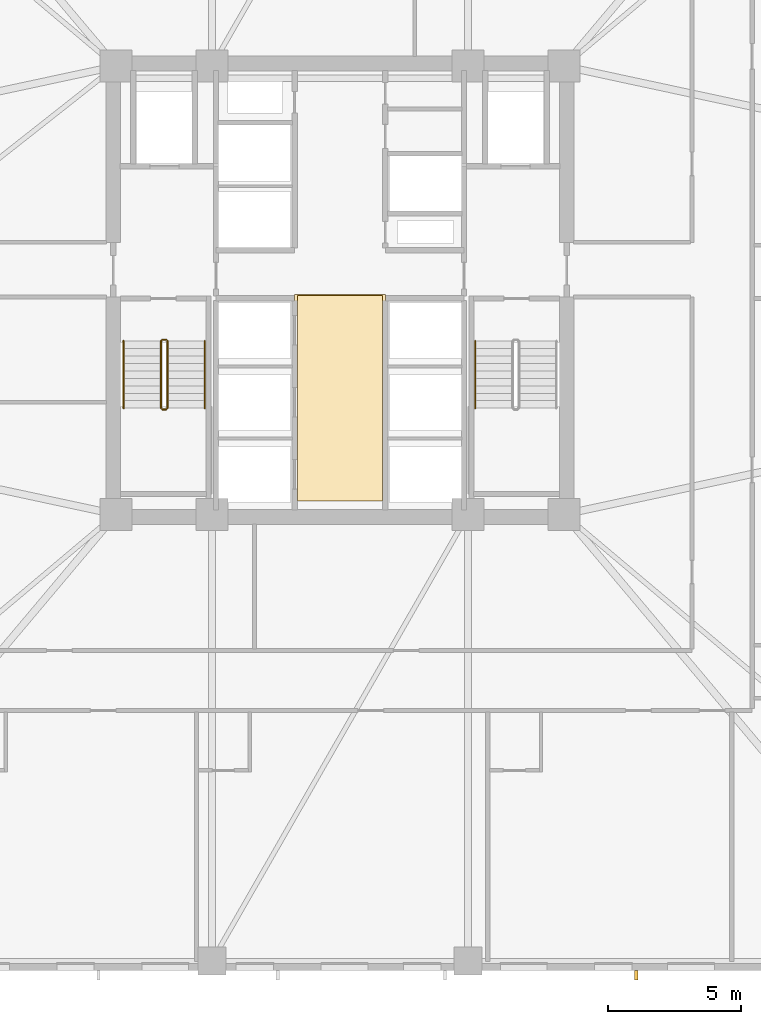
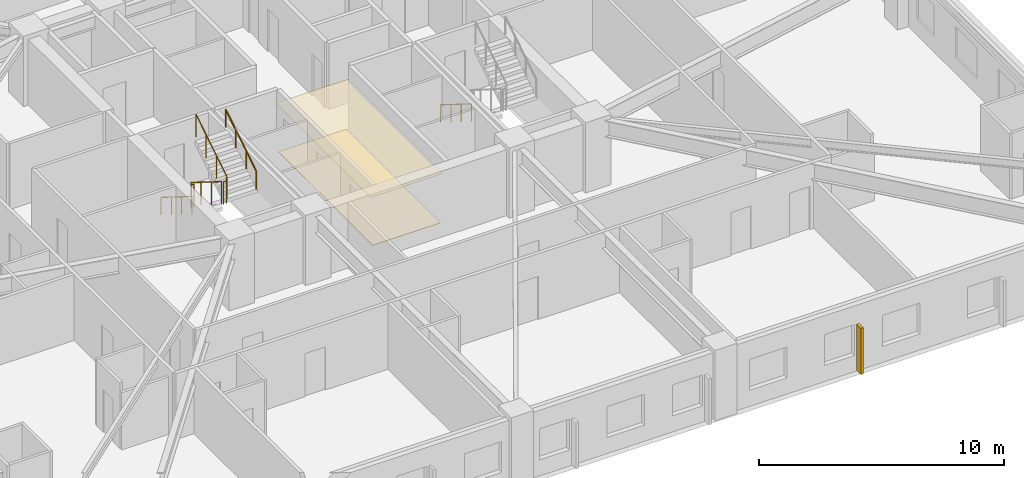
# One storey, part 8 of 11: 7 railings, 2 coverings, 1 shading device.
"""IFC4 building model written with IfcOpenShell, lengths in metres."""

from ifc_helpers import new_model, si_unit, direction, frame, origin, origin_2d, place, context, subcontext, project, spatial, polyline, rectangle, circle, outline, extrude, material, layer, layer_set, type_object, element, save


model = new_model("IFC4")

# Units and contexts
model_context = context("Model", 3, precision=1e-05, world=origin(), true_north=direction((0.0, 1.0)))
body_context = subcontext(model_context, "Body", "Model", "MODEL_VIEW")
ifc_project = project(units=[si_unit("LENGTHUNIT", "METRE"), si_unit("AREAUNIT", "SQUARE_METRE"), si_unit("VOLUMEUNIT", "CUBIC_METRE"), si_unit("PLANEANGLEUNIT", "RADIAN"), si_unit("MASSUNIT", "GRAM", prefix="KILO")], contexts=[model_context])

# Site, building, storey
site_placement = place(None, origin())
site = spatial("IfcSite", under=ifc_project, at=site_placement, CompositionType="ELEMENT")
building_placement = place(site_placement, origin())
building = spatial("IfcBuilding", under=site, at=building_placement, Name="Cairnveth Concourse Tower", CompositionType="ELEMENT")
storey_placement = place(building_placement, frame((0.0, 0.0, 76.0)))
storey = spatial("IfcBuildingStorey", under=building, at=storey_placement, Name="L20", CompositionType="ELEMENT", Elevation=76.0)

# Covering
ifc_material_1 = material(Name="Acoustic Mineral Fibre Ceiling", Category="gypsum")
ifc_layer_1 = layer(ifc_material_1, 0.02490234375)
ifc_layer_set_1 = layer_set([ifc_layer_1], Name="Acoustic Mineral Fibre Ceiling")
covering_type_1 = type_object("IfcCoveringType", Name="ACOUSTIC MINERAL FIBRE CEILING 25", PredefinedType="CEILING", material=ifc_layer_set_1)
covering_1_placement = place(storey_placement, frame((0.0, 0.0, 2.424072265625)))
element("IfcCovering", 1, at=covering_1_placement, inside=storey, type_object=covering_type_1, Name="Lift Lobby Acoustic Ceiling L20", PredefinedType="CEILING", context=body_context, shape_type="SweptSolid", body=[
    extrude(outline(polyline([(50.300048828125, 31.10009765625), (53.699951171875, 31.10009765625), (53.699951171875, 38.85009765625), (50.300048828125, 38.85009765625), (50.300048828125, 31.10009765625)])), origin(), (0.0, 0.0, 1.0), 0.02490234375),
])

# Shading device
ifc_material_2 = material(Name="Architectural Bronze Anodised Aluminium 6063-T6", Category="aluminium")
shading_device_type = type_object("IfcShadingDeviceType", Name="GOTHIC BRONZE VERTICAL LANCET FIN", PredefinedType="USERDEFINED", material=ifc_material_2)
shading_device_placement = place(storey_placement, frame((63.109619140625, 13.324951171875, 0.02978515625), z_axis=(0.0, 0.0, 1.0), x_axis=(1.0, 0.0, 0.0)))
element("IfcShadingDevice", 2, at=shading_device_placement, inside=storey, type_object=shading_device_type, Name="Gothic Bronze Vertical Fin L20-3-3", ObjectType="VERTICAL FIN", PredefinedType="USERDEFINED", context=body_context, shape_type="SweptSolid", body=[
    extrude(rectangle(XDim=0.1201171875, YDim=0.360107421875, at=origin_2d()), origin(), (0.0, 0.0, 1.0), 2.303955078125),
])

# Railings
ifc_material_3 = material(Name="Steel Grade 350", Category="steel")
railing_type_1 = type_object("IfcRailingType", Name="STAIR GUARDRAIL 1150", PredefinedType="GUARDRAIL", material=ifc_material_3)
railing_1_placement = place(storey_placement, frame((45.2900390625, 37.10009765625, 0.175048828125)))
element("IfcRailing", 3, at=railing_1_placement, inside=storey, type_object=railing_type_1, Name="L20 ST-1 stair guard 1", PredefinedType="GUARDRAIL", context=body_context, shape_type="SweptSolid", body=[
    extrude(circle(Radius=0.02392578125, at=origin_2d()), frame((0.0, 0.0, 1.1259765625), z_axis=(0.0, -0.848007534815, 0.529984170421), x_axis=(1.0, 0.0, 0.0)), (0.0, 0.0, 1.0), 2.9716796875),
    extrude(circle(Radius=0.02099609375, at=origin_2d()), origin(), (0.0, 0.0, 1.0), 1.101806640625),
    extrude(circle(Radius=0.02099609375, at=origin_2d()), frame((0.0, -0.840087890625, 0.52490234375)), (0.0, 0.0, 1.0), 1.101806640625),
    extrude(circle(Radius=0.02099609375, at=origin_2d()), frame((0.0, -1.679931640625, 1.050048828125)), (0.0, 0.0, 1.0), 1.101806640625),
    extrude(circle(Radius=0.02099609375, at=origin_2d()), frame((0.0, -2.52001953125, 1.574951171875)), (0.0, 0.0, 1.0), 1.101806640625),
])
railing_2_placement = place(storey_placement, frame((45.340087890625, 34.530029296875, 1.75)))
element("IfcRailing", 4, at=railing_2_placement, inside=storey, type_object=railing_type_1, Name="L20 ST-1 stair guard 2", PredefinedType="GUARDRAIL", context=body_context, shape_type="SweptSolid", body=[
    extrude(circle(Radius=0.02392578125, at=origin_2d()), frame((0.0, 0.0, 1.1259765625), z_axis=(1.0, 0.0, 0.0), x_axis=(0.0, 1.0, 0.0)), (0.0, 0.0, 1.0), 0.139892578125),
    extrude(circle(Radius=0.02099609375, at=origin_2d()), origin(), (0.0, 0.0, 1.0), 1.101806640625),
    extrude(circle(Radius=0.02099609375, at=origin_2d()), frame((0.139892578125, 0.0, 0.0)), (0.0, 0.0, 1.0), 1.101806640625),
])
railing_3_placement = place(storey_placement, frame((45.530029296875, 34.580078125, 1.925048828125)))
element("IfcRailing", 5, at=railing_3_placement, inside=storey, type_object=railing_type_1, Name="L20 ST-1 stair guard 3", PredefinedType="GUARDRAIL", context=body_context, shape_type="SweptSolid", body=[
    extrude(circle(Radius=0.02392578125, at=origin_2d()), frame((0.0, 0.0, 1.1259765625), z_axis=(0.0, 0.848007534815, 0.529984170421), x_axis=(-1.0, 0.0, 0.0)), (0.0, 0.0, 1.0), 2.9716796875),
    extrude(circle(Radius=0.02099609375, at=origin_2d()), origin(), (0.0, 0.0, 1.0), 1.101806640625),
    extrude(circle(Radius=0.02099609375, at=origin_2d()), frame((0.0, 0.840087890625, 0.52490234375)), (0.0, 0.0, 1.0), 1.101806640625),
    extrude(circle(Radius=0.02099609375, at=origin_2d()), frame((0.0, 1.679931640625, 1.050048828125)), (0.0, 0.0, 1.0), 1.101806640625),
    extrude(circle(Radius=0.02099609375, at=origin_2d()), frame((0.0, 2.52001953125, 1.574951171875)), (0.0, 0.0, 1.0), 1.101806640625),
])
railing_4_placement = place(storey_placement, frame((45.340087890625, 37.14990234375, 0.0)))
element("IfcRailing", 6, at=railing_4_placement, inside=storey, type_object=railing_type_1, Name="L20 ST-1 stair guard 4", PredefinedType="GUARDRAIL", context=body_context, shape_type="SweptSolid", body=[
    extrude(circle(Radius=0.02392578125, at=origin_2d()), frame((0.0, 0.0, 1.1259765625), z_axis=(1.0, 0.0, 0.0), x_axis=(0.0, 1.0, 0.0)), (0.0, 0.0, 1.0), 0.139892578125),
    extrude(circle(Radius=0.02099609375, at=origin_2d()), origin(), (0.0, 0.0, 1.0), 1.101806640625),
    extrude(circle(Radius=0.02099609375, at=origin_2d()), frame((0.139892578125, 0.0, 0.0)), (0.0, 0.0, 1.0), 1.101806640625),
])
railing_type_2 = type_object("IfcRailingType", Name="STAIR WALL HANDRAIL 900", PredefinedType="HANDRAIL", material=ifc_material_3)
railing_5_placement = place(storey_placement, frame((43.889892578125, 37.10009765625, 0.175048828125)))
element("IfcRailing", 7, at=railing_5_placement, inside=storey, type_object=railing_type_2, Name="L20 ST-1 stair handrail 1", PredefinedType="HANDRAIL", context=body_context, shape_type="SweptSolid", body=[
    extrude(circle(Radius=0.02392578125, at=origin_2d()), frame((0.0, 0.0, 0.8759765625), z_axis=(0.0, -0.848007534815, 0.529984170421), x_axis=(1.0, 0.0, 0.0)), (0.0, 0.0, 1.0), 2.9716796875),
    extrude(circle(Radius=0.02099609375, at=origin_2d()), origin(), (0.0, 0.0, 1.0), 0.851806640625),
    extrude(circle(Radius=0.02099609375, at=origin_2d()), frame((0.0, -0.840087890625, 0.52490234375)), (0.0, 0.0, 1.0), 0.851806640625),
    extrude(circle(Radius=0.02099609375, at=origin_2d()), frame((0.0, -1.679931640625, 1.050048828125)), (0.0, 0.0, 1.0), 0.851806640625),
    extrude(circle(Radius=0.02099609375, at=origin_2d()), frame((0.0, -2.52001953125, 1.574951171875)), (0.0, 0.0, 1.0), 0.851806640625),
])
railing_6_placement = place(storey_placement, frame((46.929931640625, 34.580078125, 1.925048828125)))
element("IfcRailing", 8, at=railing_6_placement, inside=storey, type_object=railing_type_2, Name="L20 ST-1 stair handrail 2", PredefinedType="HANDRAIL", context=body_context, shape_type="SweptSolid", body=[
    extrude(circle(Radius=0.02392578125, at=origin_2d()), frame((0.0, 0.0, 0.8759765625), z_axis=(0.0, 0.848007534815, 0.529984170421), x_axis=(-1.0, 0.0, 0.0)), (0.0, 0.0, 1.0), 2.9716796875),
    extrude(circle(Radius=0.02099609375, at=origin_2d()), origin(), (0.0, 0.0, 1.0), 0.851806640625),
    extrude(circle(Radius=0.02099609375, at=origin_2d()), frame((0.0, 0.840087890625, 0.52490234375)), (0.0, 0.0, 1.0), 0.851806640625),
    extrude(circle(Radius=0.02099609375, at=origin_2d()), frame((0.0, 1.679931640625, 1.050048828125)), (0.0, 0.0, 1.0), 0.851806640625),
    extrude(circle(Radius=0.02099609375, at=origin_2d()), frame((0.0, 2.52001953125, 1.574951171875)), (0.0, 0.0, 1.0), 0.851806640625),
])
railing_7_placement = place(storey_placement, frame((57.070068359375, 37.10009765625, 0.175048828125)))
element("IfcRailing", 9, at=railing_7_placement, inside=storey, type_object=railing_type_2, Name="L20 ST-2 stair handrail 1", PredefinedType="HANDRAIL", context=body_context, shape_type="SweptSolid", body=[
    extrude(circle(Radius=0.02392578125, at=origin_2d()), frame((0.0, 0.0, 0.8759765625), z_axis=(0.0, -0.848007534815, 0.529984170421), x_axis=(1.0, 0.0, 0.0)), (0.0, 0.0, 1.0), 2.9716796875),
    extrude(circle(Radius=0.02099609375, at=origin_2d()), origin(), (0.0, 0.0, 1.0), 0.851806640625),
    extrude(circle(Radius=0.02099609375, at=origin_2d()), frame((0.0, -0.840087890625, 0.52490234375)), (0.0, 0.0, 1.0), 0.851806640625),
    extrude(circle(Radius=0.02099609375, at=origin_2d()), frame((0.0, -1.679931640625, 1.050048828125)), (0.0, 0.0, 1.0), 0.851806640625),
    extrude(circle(Radius=0.02099609375, at=origin_2d()), frame((0.0, -2.52001953125, 1.574951171875)), (0.0, 0.0, 1.0), 0.851806640625),
])

# Covering
ifc_material_4 = material(Name="Vitrified Stoneware Tile Flooring", Category="masonry")
ifc_layer_2 = layer(ifc_material_4, 0.02001953125)
ifc_layer_set_2 = layer_set([ifc_layer_2], Name="Vitrified Stoneware Tile Flooring")
covering_type_2 = type_object("IfcCoveringType", Name="VITRIFIED STONEWARE LOBBY FLOORING 20", PredefinedType="FLOORING", material=ifc_layer_set_2)
covering_2_placement = place(storey_placement, origin())
element("IfcCovering", 10, at=covering_2_placement, inside=storey, type_object=covering_type_2, Name="Lift Lobby Stoneware Flooring L20", PredefinedType="FLOORING", context=body_context, shape_type="SweptSolid", body=[
    extrude(outline(polyline([(50.39990234375, 31.10009765625), (53.60009765625, 31.10009765625), (53.60009765625, 38.800048828125), (50.39990234375, 38.800048828125), (50.39990234375, 31.10009765625)])), origin(), (0.0, 0.0, 1.0), 0.02001953125),
])

save(model, "model.ifc")
